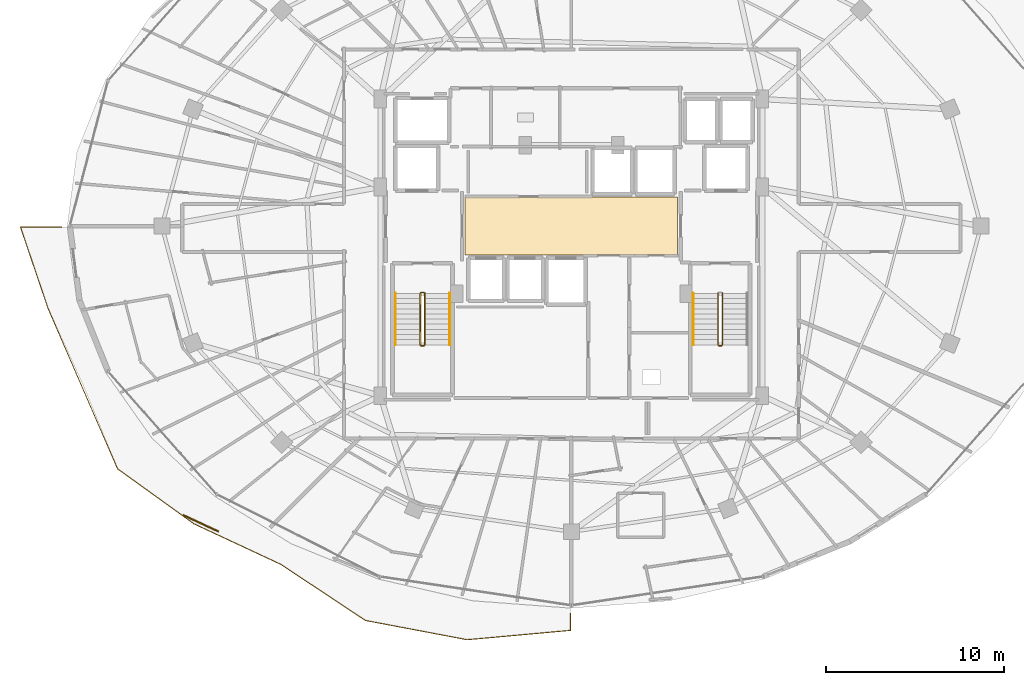
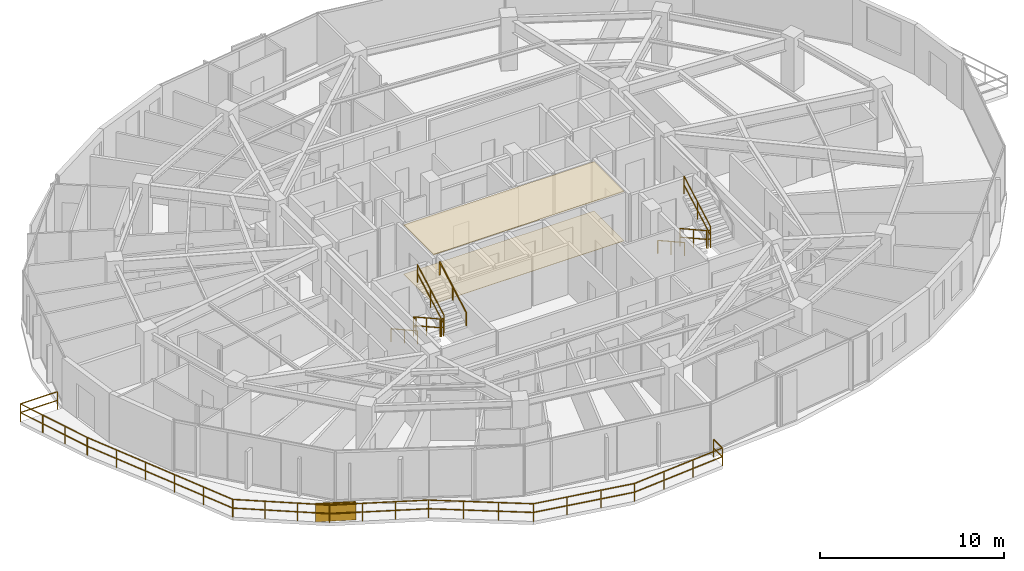
# One storey, part 30 of 32: 12 railings, 2 coverings, 1 shading device.
"""IFC4 building model written with IfcOpenShell, lengths in metres."""

from ifc_helpers import new_model, si_unit, direction, frame, origin, origin_2d, place, context, subcontext, project, spatial, polyline, rectangle, outline, extrude, material, layer, layer_set, type_object, element, save


model = new_model("IFC4")

# Units and contexts
model_context = context("Model", 3, precision=1e-05, world=origin(), true_north=direction((0.0, 1.0)))
body_context = subcontext(model_context, "Body", "Model", "MODEL_VIEW")
ifc_project = project(units=[si_unit("LENGTHUNIT", "METRE"), si_unit("AREAUNIT", "SQUARE_METRE"), si_unit("VOLUMEUNIT", "CUBIC_METRE"), si_unit("PLANEANGLEUNIT", "RADIAN"), si_unit("MASSUNIT", "GRAM", prefix="KILO")], contexts=[model_context])

# Site, building, storey
site_placement = place(None, origin())
site = spatial("IfcSite", under=ifc_project, at=site_placement, CompositionType="ELEMENT")
building_placement = place(site_placement, origin())
building = spatial("IfcBuilding", under=site, at=building_placement, Name="Vorneva Point Tower", CompositionType="ELEMENT")
storey_placement = place(building_placement, frame((0.0, 0.0, 207.199951171875)))
storey = spatial("IfcBuildingStorey", under=building, at=storey_placement, Name="L56", CompositionType="ELEMENT", Elevation=207.199951171875)

# Coverings
ifc_material_1 = material(Name="Perforated acoustic aluminium baffle ceiling", Category="aluminium")
ifc_layer_1 = layer(ifc_material_1, 0.030029296875)
ifc_layer_set_1 = layer_set([ifc_layer_1], Name="Perforated acoustic aluminium baffle ceiling")
covering_type_1 = type_object("IfcCoveringType", Name="COV-CEIL-BAF", PredefinedType="CEILING", material=ifc_layer_set_1)
covering_1_placement = place(storey_placement, frame((0.0, 0.0, 3.260009765625)))
element("IfcCovering", 1, at=covering_1_placement, inside=storey, type_object=covering_type_1, Name="L56 Lift Lobby Acoustic Baffle Ceiling", PredefinedType="CEILING", context=body_context, shape_type="SweptSolid", body=[
    extrude(outline(polyline([(32.02001953125, 24.3701171875), (43.97998046875, 24.3701171875), (43.97998046875, 27.6298828125), (32.02001953125, 27.6298828125), (32.02001953125, 24.3701171875)])), origin(), (0.0, 0.0, 1.0), 0.03515625),
])
ifc_material_2 = material(Name="Acoustic wool hospitality carpet", Category="textile")
ifc_layer_2 = layer(ifc_material_2, 0.01806640625)
ifc_layer_set_2 = layer_set([ifc_layer_2], Name="Acoustic wool hospitality carpet")
covering_type_2 = type_object("IfcCoveringType", Name="COV-FLR-CRP", PredefinedType="FLOORING", material=ifc_layer_set_2)
covering_2_placement = place(storey_placement, frame((0.0, 0.0, -0.0048828125)))
element("IfcCovering", 2, at=covering_2_placement, inside=storey, type_object=covering_type_2, Name="L56 Lift Lobby Floor Finish", PredefinedType="FLOORING", context=body_context, shape_type="SweptSolid", body=[
    extrude(outline(polyline([(32.02001953125, 24.3701171875), (43.97998046875, 24.3701171875), (43.97998046875, 27.6298828125), (32.02001953125, 27.6298828125), (32.02001953125, 24.3701171875)])), origin(), (0.0, 0.0, 1.0), 0.02294921875),
])

# Railings
ifc_material_3 = material(Name="Pale anodised aluminium", Category="aluminium")
railing_type_1 = type_object("IfcRailingType", Name="RL-BAL-1200", PredefinedType="BALUSTRADE", material=ifc_material_3)
railing_1_placement = place(storey_placement, frame((37.949951171875, 3.24560546875, 0.0)))
element("IfcRailing", 3, at=railing_1_placement, inside=storey, type_object=railing_type_1, Name="L56 Wave Balcony Balustrade SW.1", PredefinedType="BALUSTRADE", context=body_context, shape_type="SweptSolid", body=[
    extrude(rectangle(XDim=0.048095703125, YDim=0.048095703125, at=origin_2d()), frame((0.0, 0.0, 1.17578125), z_axis=(0.0, 1.0, 0.0), x_axis=(-1.0, 0.0, 0.0)), (0.0, 0.0, 1.0), 0.937255859375),
    extrude(rectangle(XDim=0.048095703125, YDim=0.048095703125, at=origin_2d()), frame((0.0, 0.0, 0.60009765625), z_axis=(0.0, 1.0, 0.0), x_axis=(-1.0, 0.0, 0.0)), (0.0, 0.0, 1.0), 0.937255859375),
    extrude(rectangle(XDim=0.0419921875, YDim=0.0419921875, at=origin_2d()), origin(), (0.0, 0.0, 1.0), 1.15185546875),
    extrude(rectangle(XDim=0.0419921875, YDim=0.0419921875, at=origin_2d()), frame((0.0, 0.937255859375, 0.0)), (0.0, 0.0, 1.0), 1.15185546875),
])
railing_2_placement = place(storey_placement, frame((9.3037109375, 25.949951171875, 0.0)))
element("IfcRailing", 4, at=railing_2_placement, inside=storey, type_object=railing_type_1, Name="L56 Wave Balcony Balustrade SW.2", PredefinedType="BALUSTRADE", context=body_context, shape_type="SweptSolid", body=[
    extrude(rectangle(XDim=0.048095703125, YDim=0.048095703125, at=origin_2d()), frame((0.0, 0.0, 1.17578125), z_axis=(-1.0, 0.0, 0.0), x_axis=(0.0, -1.0, 0.0)), (0.0, 0.0, 1.0), 2.316650390625),
    extrude(rectangle(XDim=0.048095703125, YDim=0.048095703125, at=origin_2d()), frame((0.0, 0.0, 0.60009765625), z_axis=(-1.0, 0.0, 0.0), x_axis=(0.0, -1.0, 0.0)), (0.0, 0.0, 1.0), 2.316650390625),
    extrude(rectangle(XDim=0.048095703125, YDim=0.048095703125, at=origin_2d()), frame((-2.316650390625, 0.0, 1.17578125), z_axis=(0.321336027119, -0.946965235727, 0.0), x_axis=(0.946965235727, 0.321336027119, 0.0)), (0.0, 0.0, 1.0), 4.82763671875),
    extrude(rectangle(XDim=0.048095703125, YDim=0.048095703125, at=origin_2d()), frame((-2.316650390625, 0.0, 0.60009765625), z_axis=(0.321336027119, -0.946965235727, 0.0), x_axis=(0.946965235727, 0.321336027119, 0.0)), (0.0, 0.0, 1.0), 4.82763671875),
    extrude(rectangle(XDim=0.048095703125, YDim=0.048095703125, at=origin_2d()), frame((-0.765380859375, -4.571533203125, 1.17578125), z_axis=(0.397549720287, -0.917580634004, 0.0), x_axis=(0.917580634004, 0.397549720287, 0.0)), (0.0, 0.0, 1.0), 9.852783203125),
    extrude(rectangle(XDim=0.048095703125, YDim=0.048095703125, at=origin_2d()), frame((-0.765380859375, -4.571533203125, 0.60009765625), z_axis=(0.397549720287, -0.917580634004, 0.0), x_axis=(0.917580634004, 0.397549720287, 0.0)), (0.0, 0.0, 1.0), 9.852783203125),
    extrude(rectangle(XDim=0.048095703125, YDim=0.048095703125, at=origin_2d()), frame((3.151611328125, -13.6123046875, 1.17578125), z_axis=(0.81161999727, -0.584185741037, 0.0), x_axis=(0.584185741037, 0.81161999727, 0.0)), (0.0, 0.0, 1.0), 5.297607421875),
    extrude(rectangle(XDim=0.048095703125, YDim=0.048095703125, at=origin_2d()), frame((3.151611328125, -13.6123046875, 0.60009765625), z_axis=(0.81161999727, -0.584185741037, 0.0), x_axis=(0.584185741037, 0.81161999727, 0.0)), (0.0, 0.0, 1.0), 5.297607421875),
    extrude(rectangle(XDim=0.048095703125, YDim=0.048095703125, at=origin_2d()), frame((7.451171875, -16.70703125, 1.17578125), z_axis=(0.906147303007, -0.422962250388, 0.0), x_axis=(0.422962250388, 0.906147303007, 0.0)), (0.0, 0.0, 1.0), 5.395751953125),
    extrude(rectangle(XDim=0.048095703125, YDim=0.048095703125, at=origin_2d()), frame((7.451171875, -16.70703125, 0.60009765625), z_axis=(0.906147303007, -0.422962250388, 0.0), x_axis=(0.422962250388, 0.906147303007, 0.0)), (0.0, 0.0, 1.0), 5.395751953125),
    extrude(rectangle(XDim=0.048095703125, YDim=0.048095703125, at=origin_2d()), frame((12.340576171875, -18.9892578125, 1.17578125), z_axis=(0.833539327293, -0.552460125127, 0.0), x_axis=(0.552460125127, 0.833539327293, 0.0)), (0.0, 0.0, 1.0), 5.71435546875),
    extrude(rectangle(XDim=0.048095703125, YDim=0.048095703125, at=origin_2d()), frame((12.340576171875, -18.9892578125, 0.60009765625), z_axis=(0.833539327293, -0.552460125127, 0.0), x_axis=(0.552460125127, 0.833539327293, 0.0)), (0.0, 0.0, 1.0), 5.71435546875),
    extrude(rectangle(XDim=0.048095703125, YDim=0.048095703125, at=origin_2d()), frame((17.103759765625, -22.146240234375, 1.17578125), z_axis=(0.98255245371, -0.185985686837, 0.0), x_axis=(0.185985686837, 0.98255245371, 0.0)), (0.0, 0.0, 1.0), 5.826904296875),
    extrude(rectangle(XDim=0.048095703125, YDim=0.048095703125, at=origin_2d()), frame((17.103759765625, -22.146240234375, 0.60009765625), z_axis=(0.98255245371, -0.185985686837, 0.0), x_axis=(0.185985686837, 0.98255245371, 0.0)), (0.0, 0.0, 1.0), 5.826904296875),
    extrude(rectangle(XDim=0.048095703125, YDim=0.048095703125, at=origin_2d()), frame((22.8291015625, -23.22998046875, 1.17578125), z_axis=(0.995942395005, 0.089993032125, 0.0), x_axis=(-0.089993032125, 0.995942395005, 0.0)), (0.0, 0.0, 1.0), 5.8408203125),
    extrude(rectangle(XDim=0.048095703125, YDim=0.048095703125, at=origin_2d()), frame((22.8291015625, -23.22998046875, 0.60009765625), z_axis=(0.995942395005, 0.089993032125, 0.0), x_axis=(-0.089993032125, 0.995942395005, 0.0)), (0.0, 0.0, 1.0), 5.8408203125),
    extrude(rectangle(XDim=0.0419921875, YDim=0.0419921875, at=origin_2d()), origin(), (0.0, 0.0, 1.0), 1.15185546875),
    extrude(rectangle(XDim=0.0419921875, YDim=0.0419921875, at=origin_2d()), frame((-2.316650390625, 0.0, 0.0)), (0.0, 0.0, 1.0), 1.15185546875),
    extrude(rectangle(XDim=0.0419921875, YDim=0.0419921875, at=origin_2d()), frame((-1.799560546875, -1.52392578125, 0.0)), (0.0, 0.0, 1.0), 1.15185546875),
    extrude(rectangle(XDim=0.0419921875, YDim=0.0419921875, at=origin_2d()), frame((-1.282470703125, -3.047607421875, 0.0)), (0.0, 0.0, 1.0), 1.15185546875),
    extrude(rectangle(XDim=0.0419921875, YDim=0.0419921875, at=origin_2d()), frame((-0.765380859375, -4.571533203125, 0.0)), (0.0, 0.0, 1.0), 1.15185546875),
    extrude(rectangle(XDim=0.0419921875, YDim=0.0419921875, at=origin_2d()), frame((0.01806640625, -6.379638671875, 0.0)), (0.0, 0.0, 1.0), 1.15185546875),
    extrude(rectangle(XDim=0.0419921875, YDim=0.0419921875, at=origin_2d()), frame((0.801513671875, -8.187744140625, 0.0)), (0.0, 0.0, 1.0), 1.15185546875),
    extrude(rectangle(XDim=0.0419921875, YDim=0.0419921875, at=origin_2d()), frame((1.584716796875, -9.99609375, 0.0)), (0.0, 0.0, 1.0), 1.15185546875),
    extrude(rectangle(XDim=0.0419921875, YDim=0.0419921875, at=origin_2d()), frame((2.3681640625, -11.80419921875, 0.0)), (0.0, 0.0, 1.0), 1.15185546875),
    extrude(rectangle(XDim=0.0419921875, YDim=0.0419921875, at=origin_2d()), frame((3.151611328125, -13.6123046875, 0.0)), (0.0, 0.0, 1.0), 1.15185546875),
    extrude(rectangle(XDim=0.0419921875, YDim=0.0419921875, at=origin_2d()), frame((4.584716796875, -14.643798828125, 0.0)), (0.0, 0.0, 1.0), 1.15185546875),
    extrude(rectangle(XDim=0.0419921875, YDim=0.0419921875, at=origin_2d()), frame((6.01806640625, -15.675537109375, 0.0)), (0.0, 0.0, 1.0), 1.15185546875),
    extrude(rectangle(XDim=0.0419921875, YDim=0.0419921875, at=origin_2d()), frame((7.451171875, -16.70703125, 0.0)), (0.0, 0.0, 1.0), 1.15185546875),
    extrude(rectangle(XDim=0.0419921875, YDim=0.0419921875, at=origin_2d()), frame((9.0810546875, -17.4677734375, 0.0)), (0.0, 0.0, 1.0), 1.15185546875),
    extrude(rectangle(XDim=0.0419921875, YDim=0.0419921875, at=origin_2d()), frame((10.710693359375, -18.228515625, 0.0)), (0.0, 0.0, 1.0), 1.15185546875),
    extrude(rectangle(XDim=0.0419921875, YDim=0.0419921875, at=origin_2d()), frame((12.340576171875, -18.9892578125, 0.0)), (0.0, 0.0, 1.0), 1.15185546875),
    extrude(rectangle(XDim=0.0419921875, YDim=0.0419921875, at=origin_2d()), frame((13.92822265625, -20.04150390625, 0.0)), (0.0, 0.0, 1.0), 1.15185546875),
    extrude(rectangle(XDim=0.0419921875, YDim=0.0419921875, at=origin_2d()), frame((15.51611328125, -21.093994140625, 0.0)), (0.0, 0.0, 1.0), 1.15185546875),
    extrude(rectangle(XDim=0.0419921875, YDim=0.0419921875, at=origin_2d()), frame((17.103759765625, -22.146240234375, 0.0)), (0.0, 0.0, 1.0), 1.15185546875),
    extrude(rectangle(XDim=0.0419921875, YDim=0.0419921875, at=origin_2d()), frame((19.01220703125, -22.507568359375, 0.0)), (0.0, 0.0, 1.0), 1.15185546875),
    extrude(rectangle(XDim=0.0419921875, YDim=0.0419921875, at=origin_2d()), frame((20.920654296875, -22.86865234375, 0.0)), (0.0, 0.0, 1.0), 1.15185546875),
    extrude(rectangle(XDim=0.0419921875, YDim=0.0419921875, at=origin_2d()), frame((22.8291015625, -23.22998046875, 0.0)), (0.0, 0.0, 1.0), 1.15185546875),
    extrude(rectangle(XDim=0.0419921875, YDim=0.0419921875, at=origin_2d()), frame((24.76806640625, -23.0546875, 0.0)), (0.0, 0.0, 1.0), 1.15185546875),
    extrude(rectangle(XDim=0.0419921875, YDim=0.0419921875, at=origin_2d()), frame((26.707275390625, -22.879638671875, 0.0)), (0.0, 0.0, 1.0), 1.15185546875),
    extrude(rectangle(XDim=0.0419921875, YDim=0.0419921875, at=origin_2d()), frame((28.646240234375, -22.704345703125, 0.0)), (0.0, 0.0, 1.0), 1.15185546875),
])
ifc_material_4 = material(Name="Brushed stainless steel S304", Category="steel")
railing_type_2 = type_object("IfcRailingType", Name="RL-HND-920", PredefinedType="HANDRAIL", material=ifc_material_4)
railing_3_placement = place(storey_placement, frame((28.10009765625, 22.219970703125, 0.161376953125)))
element("IfcRailing", 5, at=railing_3_placement, inside=storey, type_object=railing_type_2, Name="L56 ST1 stair handrail 1", PredefinedType="HANDRAIL", context=body_context, shape_type="SweptSolid", body=[
    extrude(rectangle(XDim=0.048095703125, YDim=0.048095703125, at=origin_2d()), frame((0.0, 0.0, 0.8759765625), z_axis=(0.0, -0.873810046276, 0.486267419253), x_axis=(1.0, 0.0, 0.0)), (0.0, 0.0, 1.0), 3.318603515625),
    extrude(rectangle(XDim=0.0419921875, YDim=0.0419921875, at=origin_2d()), origin(), (0.0, 0.0, 1.0), 0.851806640625),
    extrude(rectangle(XDim=0.0419921875, YDim=0.0419921875, at=origin_2d()), frame((0.0, -1.449951171875, 0.806884765625)), (0.0, 0.0, 1.0), 0.851806640625),
    extrude(rectangle(XDim=0.0419921875, YDim=0.0419921875, at=origin_2d()), frame((0.0, -2.89990234375, 1.61376953125)), (0.0, 0.0, 1.0), 0.851806640625),
])
railing_4_placement = place(storey_placement, frame((31.14990234375, 19.320068359375, 1.9365234375)))
element("IfcRailing", 6, at=railing_4_placement, inside=storey, type_object=railing_type_2, Name="L56 ST1 stair handrail 2", PredefinedType="HANDRAIL", context=body_context, shape_type="SweptSolid", body=[
    extrude(rectangle(XDim=0.048095703125, YDim=0.048095703125, at=origin_2d()), frame((0.0, 0.0, 0.8759765625), z_axis=(0.0, 0.873841303929, 0.486211245805), x_axis=(-1.0, 0.0, 0.0)), (0.0, 0.0, 1.0), 3.318603515625),
    extrude(rectangle(XDim=0.0419921875, YDim=0.0419921875, at=origin_2d()), origin(), (0.0, 0.0, 1.0), 0.851806640625),
    extrude(rectangle(XDim=0.0419921875, YDim=0.0419921875, at=origin_2d()), frame((0.0, 1.449951171875, 0.806640625)), (0.0, 0.0, 1.0), 0.851806640625),
    extrude(rectangle(XDim=0.0419921875, YDim=0.0419921875, at=origin_2d()), frame((0.0, 2.89990234375, 1.613525390625)), (0.0, 0.0, 1.0), 0.851806640625),
])
railing_5_placement = place(storey_placement, frame((44.85009765625, 22.219970703125, 0.161376953125)))
element("IfcRailing", 7, at=railing_5_placement, inside=storey, type_object=railing_type_2, Name="L56 ST2 stair handrail 1", PredefinedType="HANDRAIL", context=body_context, shape_type="SweptSolid", body=[
    extrude(rectangle(XDim=0.048095703125, YDim=0.048095703125, at=origin_2d()), frame((0.0, 0.0, 0.8759765625), z_axis=(0.0, -0.873810046276, 0.486267419253), x_axis=(1.0, 0.0, 0.0)), (0.0, 0.0, 1.0), 3.318603515625),
    extrude(rectangle(XDim=0.0419921875, YDim=0.0419921875, at=origin_2d()), origin(), (0.0, 0.0, 1.0), 0.851806640625),
    extrude(rectangle(XDim=0.0419921875, YDim=0.0419921875, at=origin_2d()), frame((0.0, -1.449951171875, 0.806884765625)), (0.0, 0.0, 1.0), 0.851806640625),
    extrude(rectangle(XDim=0.0419921875, YDim=0.0419921875, at=origin_2d()), frame((0.0, -2.89990234375, 1.61376953125)), (0.0, 0.0, 1.0), 0.851806640625),
])
railing_type_3 = type_object("IfcRailingType", Name="RL-STG-1100", PredefinedType="GUARDRAIL", material=ifc_material_4)
railing_6_placement = place(storey_placement, frame((29.5, 22.219970703125, 0.161376953125)))
element("IfcRailing", 8, at=railing_6_placement, inside=storey, type_object=railing_type_3, Name="L56 ST1 stair guard 1", PredefinedType="GUARDRAIL", context=body_context, shape_type="SweptSolid", body=[
    extrude(rectangle(XDim=0.048095703125, YDim=0.048095703125, at=origin_2d()), frame((0.0, 0.0, 1.17578125), z_axis=(0.0, -0.873810046276, 0.486267419253), x_axis=(1.0, 0.0, 0.0)), (0.0, 0.0, 1.0), 3.318603515625),
    extrude(rectangle(XDim=0.048095703125, YDim=0.048095703125, at=origin_2d()), frame((0.0, 0.0, 0.60009765625), z_axis=(0.0, -0.873810046276, 0.486267419253), x_axis=(1.0, 0.0, 0.0)), (0.0, 0.0, 1.0), 3.318603515625),
    extrude(rectangle(XDim=0.0419921875, YDim=0.0419921875, at=origin_2d()), origin(), (0.0, 0.0, 1.0), 1.15185546875),
    extrude(rectangle(XDim=0.0419921875, YDim=0.0419921875, at=origin_2d()), frame((0.0, -1.449951171875, 0.806884765625)), (0.0, 0.0, 1.0), 1.15185546875),
    extrude(rectangle(XDim=0.0419921875, YDim=0.0419921875, at=origin_2d()), frame((0.0, -2.89990234375, 1.61376953125)), (0.0, 0.0, 1.0), 1.15185546875),
])
railing_7_placement = place(storey_placement, frame((29.550048828125, 19.27001953125, 1.775146484375)))
element("IfcRailing", 9, at=railing_7_placement, inside=storey, type_object=railing_type_3, Name="L56 ST1 stair guard 2", PredefinedType="GUARDRAIL", context=body_context, shape_type="SweptSolid", body=[
    extrude(rectangle(XDim=0.048095703125, YDim=0.048095703125, at=origin_2d()), frame((0.0, 0.0, 1.17578125), z_axis=(1.0, 0.0, 0.0), x_axis=(0.0, 1.0, 0.0)), (0.0, 0.0, 1.0), 0.14990234375),
    extrude(rectangle(XDim=0.048095703125, YDim=0.048095703125, at=origin_2d()), frame((0.0, 0.0, 0.60009765625), z_axis=(1.0, 0.0, 0.0), x_axis=(0.0, 1.0, 0.0)), (0.0, 0.0, 1.0), 0.14990234375),
    extrude(rectangle(XDim=0.0419921875, YDim=0.0419921875, at=origin_2d()), origin(), (0.0, 0.0, 1.0), 1.15185546875),
    extrude(rectangle(XDim=0.0419921875, YDim=0.0419921875, at=origin_2d()), frame((0.14990234375, 0.0, 0.0)), (0.0, 0.0, 1.0), 1.15185546875),
])
railing_8_placement = place(storey_placement, frame((29.75, 19.320068359375, 1.9365234375)))
element("IfcRailing", 10, at=railing_8_placement, inside=storey, type_object=railing_type_3, Name="L56 ST1 stair guard 3", PredefinedType="GUARDRAIL", context=body_context, shape_type="SweptSolid", body=[
    extrude(rectangle(XDim=0.048095703125, YDim=0.048095703125, at=origin_2d()), frame((0.0, 0.0, 1.17578125), z_axis=(0.0, 0.873841303929, 0.486211245805), x_axis=(-1.0, 0.0, 0.0)), (0.0, 0.0, 1.0), 3.318603515625),
    extrude(rectangle(XDim=0.048095703125, YDim=0.048095703125, at=origin_2d()), frame((0.0, 0.0, 0.60009765625), z_axis=(0.0, 0.873841303929, 0.486211245805), x_axis=(-1.0, 0.0, 0.0)), (0.0, 0.0, 1.0), 3.318603515625),
    extrude(rectangle(XDim=0.0419921875, YDim=0.0419921875, at=origin_2d()), origin(), (0.0, 0.0, 1.0), 1.15185546875),
    extrude(rectangle(XDim=0.0419921875, YDim=0.0419921875, at=origin_2d()), frame((0.0, 1.449951171875, 0.806640625)), (0.0, 0.0, 1.0), 1.15185546875),
    extrude(rectangle(XDim=0.0419921875, YDim=0.0419921875, at=origin_2d()), frame((0.0, 2.89990234375, 1.613525390625)), (0.0, 0.0, 1.0), 1.15185546875),
])
railing_9_placement = place(storey_placement, frame((29.550048828125, 22.27001953125, 0.0)))
element("IfcRailing", 11, at=railing_9_placement, inside=storey, type_object=railing_type_3, Name="L56 ST1 stair guard 4", PredefinedType="GUARDRAIL", context=body_context, shape_type="SweptSolid", body=[
    extrude(rectangle(XDim=0.048095703125, YDim=0.048095703125, at=origin_2d()), frame((0.0, 0.0, 1.17578125), z_axis=(1.0, 0.0, 0.0), x_axis=(0.0, 1.0, 0.0)), (0.0, 0.0, 1.0), 0.14990234375),
    extrude(rectangle(XDim=0.048095703125, YDim=0.048095703125, at=origin_2d()), frame((0.0, 0.0, 0.60009765625), z_axis=(1.0, 0.0, 0.0), x_axis=(0.0, 1.0, 0.0)), (0.0, 0.0, 1.0), 0.14990234375),
    extrude(rectangle(XDim=0.0419921875, YDim=0.0419921875, at=origin_2d()), origin(), (0.0, 0.0, 1.0), 1.15185546875),
    extrude(rectangle(XDim=0.0419921875, YDim=0.0419921875, at=origin_2d()), frame((0.14990234375, 0.0, 0.0)), (0.0, 0.0, 1.0), 1.15185546875),
])
railing_10_placement = place(storey_placement, frame((46.25, 22.219970703125, 0.161376953125)))
element("IfcRailing", 12, at=railing_10_placement, inside=storey, type_object=railing_type_3, Name="L56 ST2 stair guard 1", PredefinedType="GUARDRAIL", context=body_context, shape_type="SweptSolid", body=[
    extrude(rectangle(XDim=0.048095703125, YDim=0.048095703125, at=origin_2d()), frame((0.0, 0.0, 1.17578125), z_axis=(0.0, -0.873810046276, 0.486267419253), x_axis=(1.0, 0.0, 0.0)), (0.0, 0.0, 1.0), 3.318603515625),
    extrude(rectangle(XDim=0.048095703125, YDim=0.048095703125, at=origin_2d()), frame((0.0, 0.0, 0.60009765625), z_axis=(0.0, -0.873810046276, 0.486267419253), x_axis=(1.0, 0.0, 0.0)), (0.0, 0.0, 1.0), 3.318603515625),
    extrude(rectangle(XDim=0.0419921875, YDim=0.0419921875, at=origin_2d()), origin(), (0.0, 0.0, 1.0), 1.15185546875),
    extrude(rectangle(XDim=0.0419921875, YDim=0.0419921875, at=origin_2d()), frame((0.0, -1.449951171875, 0.806884765625)), (0.0, 0.0, 1.0), 1.15185546875),
    extrude(rectangle(XDim=0.0419921875, YDim=0.0419921875, at=origin_2d()), frame((0.0, -2.89990234375, 1.61376953125)), (0.0, 0.0, 1.0), 1.15185546875),
])
railing_11_placement = place(storey_placement, frame((46.300048828125, 19.27001953125, 1.775146484375)))
element("IfcRailing", 13, at=railing_11_placement, inside=storey, type_object=railing_type_3, Name="L56 ST2 stair guard 2", PredefinedType="GUARDRAIL", context=body_context, shape_type="SweptSolid", body=[
    extrude(rectangle(XDim=0.048095703125, YDim=0.048095703125, at=origin_2d()), frame((0.0, 0.0, 1.17578125), z_axis=(1.0, 0.0, 0.0), x_axis=(0.0, 1.0, 0.0)), (0.0, 0.0, 1.0), 0.14990234375),
    extrude(rectangle(XDim=0.048095703125, YDim=0.048095703125, at=origin_2d()), frame((0.0, 0.0, 0.60009765625), z_axis=(1.0, 0.0, 0.0), x_axis=(0.0, 1.0, 0.0)), (0.0, 0.0, 1.0), 0.14990234375),
    extrude(rectangle(XDim=0.0419921875, YDim=0.0419921875, at=origin_2d()), origin(), (0.0, 0.0, 1.0), 1.15185546875),
    extrude(rectangle(XDim=0.0419921875, YDim=0.0419921875, at=origin_2d()), frame((0.14990234375, 0.0, 0.0)), (0.0, 0.0, 1.0), 1.15185546875),
])
railing_12_placement = place(storey_placement, frame((46.5, 19.320068359375, 1.9365234375)))
element("IfcRailing", 14, at=railing_12_placement, inside=storey, type_object=railing_type_3, Name="L56 ST2 stair guard 3", PredefinedType="GUARDRAIL", context=body_context, shape_type="SweptSolid", body=[
    extrude(rectangle(XDim=0.048095703125, YDim=0.048095703125, at=origin_2d()), frame((0.0, 0.0, 1.17578125), z_axis=(0.0, 0.873841303929, 0.486211245805), x_axis=(-1.0, 0.0, 0.0)), (0.0, 0.0, 1.0), 3.318603515625),
    extrude(rectangle(XDim=0.048095703125, YDim=0.048095703125, at=origin_2d()), frame((0.0, 0.0, 0.60009765625), z_axis=(0.0, 0.873841303929, 0.486211245805), x_axis=(-1.0, 0.0, 0.0)), (0.0, 0.0, 1.0), 3.318603515625),
    extrude(rectangle(XDim=0.0419921875, YDim=0.0419921875, at=origin_2d()), origin(), (0.0, 0.0, 1.0), 1.15185546875),
    extrude(rectangle(XDim=0.0419921875, YDim=0.0419921875, at=origin_2d()), frame((0.0, 1.449951171875, 0.806640625)), (0.0, 0.0, 1.0), 1.15185546875),
    extrude(rectangle(XDim=0.0419921875, YDim=0.0419921875, at=origin_2d()), frame((0.0, 2.89990234375, 1.613525390625)), (0.0, 0.0, 1.0), 1.15185546875),
])

# Shading device
shading_device_type = type_object("IfcShadingDeviceType", Name="SHD-JAL-1200", PredefinedType="JALOUSIE", material=ifc_material_3)
shading_device_placement = place(storey_placement, frame((17.144775390625, 9.278564453125, -0.02001953125), z_axis=(0.0, 0.0, 1.0), x_axis=(0.906145446467, -0.422966227786, 0.0)))
element("IfcShadingDevice", 15, at=shading_device_placement, inside=storey, type_object=shading_device_type, Name="L56 Balcony Vertical-Greenery Planter Screen SW.2", PredefinedType="JALOUSIE", context=body_context, shape_type="SweptSolid", body=[
    extrude(rectangle(XDim=2.199951171875, YDim=0.080078125, at=origin_2d()), origin(), (0.0, 0.0, 1.0), 1.199951171875),
])

save(model, "model.ifc")
